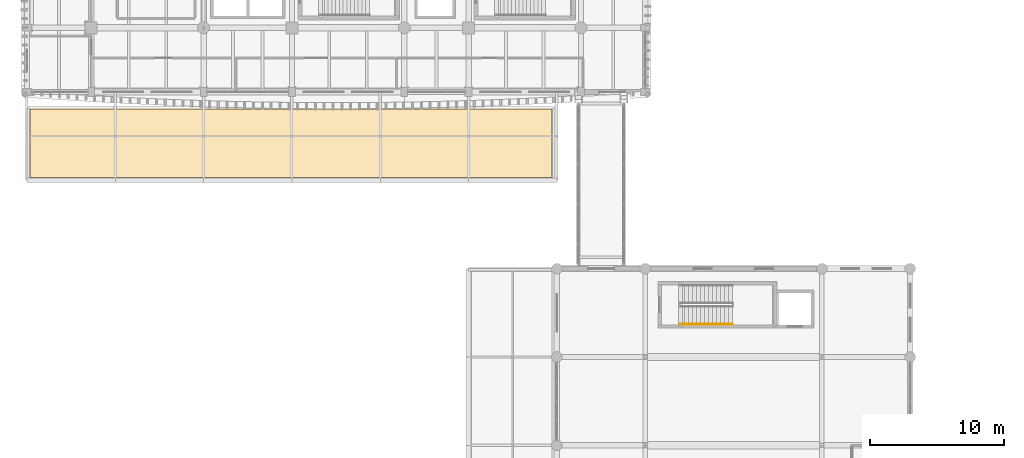
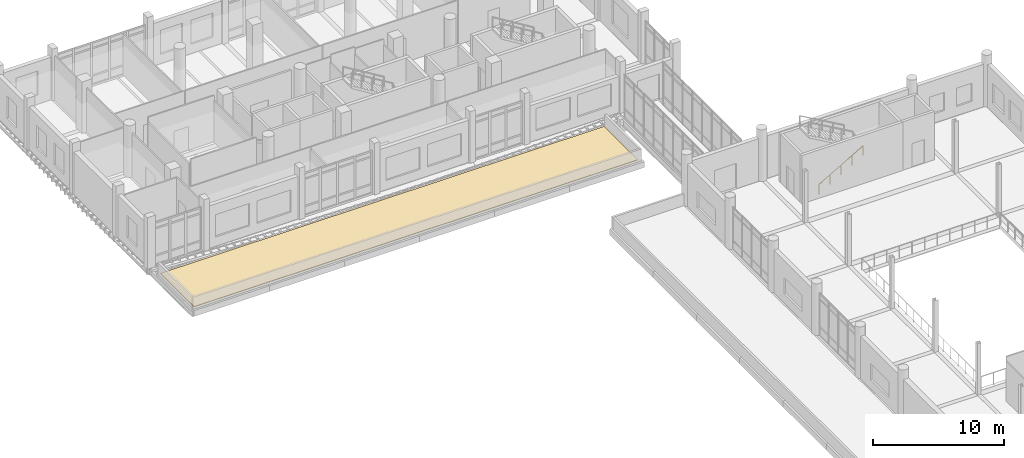
# One storey, part 107 of 125: 1 covering, 1 railing.
"""IFC4 building model written with IfcOpenShell, lengths in metres."""

import ifcopenshell
import ifcopenshell.guid

model = None  # the IFC model being written
_history = None  # IfcOwnerHistory: only IFC2X3 demands one
_inside = {}  # id of a spatial element -> (the spatial element, [elements in it])
_under = {}  # id of a project, library or spatial element -> (it, [spatial elements below it])
_declared = {}  # id of a project -> (the project, [libraries it declares])
_typed = {}  # id of a type object -> (the type object, [elements of that type])
_made_of = {}  # id of a material, layer set ... -> (it, [elements and type objects made of it])


def new_model(schema):
    """Start an empty IFC model of exactly this schema.

    Asked for "IFC4X3", IfcOpenShell would pick the latest addendum, in which some entities
    have other attributes; the version numbers below select the first issue.
    IFC2X3 requires an IfcOwnerHistory on every rooted entity: one is made here for all.
    """
    global model, _history
    if schema == "IFC4X3":
        model = ifcopenshell.file(schema_version=(4, 3, 0, 0))
    else:
        model = ifcopenshell.file(schema=schema)
    _inside.clear()
    _under.clear()
    _declared.clear()
    _typed.clear()
    _made_of.clear()
    _history = None
    if model.schema == "IFC2X3":
        org = make("IfcOrganization", Name="unknown")
        user = make(
            "IfcPersonAndOrganization",
            ThePerson=make("IfcPerson", FamilyName="unknown"),
            TheOrganization=org,
        )
        app = make(
            "IfcApplication",
            ApplicationDeveloper=org,
            Version="unknown",
            ApplicationFullName="unknown",
            ApplicationIdentifier="unknown",
        )
        _history = make(
            "IfcOwnerHistory",
            OwningUser=user,
            OwningApplication=app,
            ChangeAction="ADDED",
            CreationDate=0,
        )
    return model


def make(cls, **values):
    """One entity of the class cls with the attributes given. An attribute that is None is left unset."""
    return model.create_entity(
        cls, **{name: value for name, value in values.items() if value is not None}
    )


def rooted(cls, **values):
    """An entity with a GlobalId (a new one), such as an element, a storey or a relation."""
    return make(cls, GlobalId=ifcopenshell.guid.new(), OwnerHistory=_history, **values)


def si_unit(unit_type, name, prefix=None):
    """IfcSIUnit, for example si_unit("LENGTHUNIT", "METRE", prefix="MILLI")."""
    return make("IfcSIUnit", UnitType=unit_type, Prefix=prefix, Name=name)


def assignment(units):
    """IfcUnitAssignment: the units of a project."""
    return None if units is None else make("IfcUnitAssignment", Units=units)


def point(xyz):
    """IfcCartesianPoint."""
    return None if xyz is None else make("IfcCartesianPoint", Coordinates=xyz)


def direction(xyz):
    """IfcDirection."""
    return None if xyz is None else make("IfcDirection", DirectionRatios=xyz)


def frame(location, z_axis=None, x_axis=None):
    """IfcAxis2Placement3D, a coordinate frame: its origin and axes. An axis left out is left unset."""
    return make(
        "IfcAxis2Placement3D",
        Location=point(location),
        Axis=direction(z_axis),
        RefDirection=direction(x_axis),
    )


def frame_2d(location, x_axis=None):
    """IfcAxis2Placement2D, a coordinate frame in the plane: its origin and x axis."""
    return make(
        "IfcAxis2Placement2D", Location=point(location), RefDirection=direction(x_axis)
    )


def origin():
    """The frame at (0, 0, 0) with its axes left unset."""
    return frame((0.0, 0.0, 0.0))


def origin_2d():
    """The frame at (0, 0) in the plane with its x axis left unset."""
    return frame_2d((0.0, 0.0))


def place(relative_to, where):
    """IfcLocalPlacement: puts the frame where relative to a parent placement (None: the world)."""
    return make(
        "IfcLocalPlacement", PlacementRelTo=relative_to, RelativePlacement=where
    )


def context(
    kind, dimensions, precision=None, world=None, true_north=None, identifier=None
):
    """IfcGeometricRepresentationContext, for example the 3D "Model" context."""
    return make(
        "IfcGeometricRepresentationContext",
        ContextIdentifier=identifier,
        ContextType=kind,
        CoordinateSpaceDimension=dimensions,
        Precision=precision,
        WorldCoordinateSystem=world,
        TrueNorth=true_north,
    )


def subcontext(parent, identifier, kind, view, scale=None):
    """IfcGeometricRepresentationSubContext, for example "Body" below "Model"."""
    return make(
        "IfcGeometricRepresentationSubContext",
        ContextIdentifier=identifier,
        ContextType=kind,
        ParentContext=parent,
        TargetScale=scale,
        TargetView=view,
    )


def project(units=None, contexts=None):
    """IfcProject with its units and contexts."""
    return rooted(
        "IfcProject",
        Name="project",
        RepresentationContexts=contexts,
        UnitsInContext=assignment(units),
    )


def spatial(cls, under=None, at=None, **own):
    """A site, building, storey or space (cls), placed at a placement, below another one or the project."""
    s = rooted(cls, ObjectPlacement=at, **own)
    if under is not None:
        _under.setdefault(under.id(), (under, []))[1].append(s)
    return s


def polyline(points):
    """IfcPolyline through the points."""
    return make("IfcPolyline", Points=[point(p) for p in points])


def profile(cls, at=None, kind="AREA", **sizes):
    """A parametric profile (cls). Its sizes go by their IFC names, for example OverallWidth=200.0."""
    return make(cls, ProfileType=kind, Position=at, **sizes)


def circle(**sizes):
    """IfcCircleProfileDef."""
    return profile("IfcCircleProfileDef", **sizes)


def outline(outer, holes=None, kind="AREA"):
    """IfcArbitraryClosedProfileDef: a profile drawn as a closed curve; with holes, ...WithVoids."""
    if holes is None:
        return make("IfcArbitraryClosedProfileDef", ProfileType=kind, OuterCurve=outer)
    return make(
        "IfcArbitraryProfileDefWithVoids",
        ProfileType=kind,
        OuterCurve=outer,
        InnerCurves=holes,
    )


def extrude(swept, where, along, depth):
    """IfcExtrudedAreaSolid: the profile swept, set in the frame where, extruded along a direction by depth."""
    return make(
        "IfcExtrudedAreaSolid",
        SweptArea=swept,
        Position=where,
        ExtrudedDirection=direction(along),
        Depth=depth,
    )


def shape(context_of_items, identifier, shape_type, items):
    """IfcShapeRepresentation: the items that make up one representation, for example the "Body"."""
    return make(
        "IfcShapeRepresentation",
        ContextOfItems=context_of_items,
        RepresentationIdentifier=identifier,
        RepresentationType=shape_type,
        Items=items,
    )


def material(Name=None, Category=None):
    """IfcMaterial."""
    return make("IfcMaterial", Name=Name, Category=Category)


def layer(
    of_material, thickness, ventilated=None, Name=None, Category=None, Priority=None
):
    """IfcMaterialLayer: one layer of a wall or slab, of a material (None: an air gap)."""
    return make(
        "IfcMaterialLayer",
        Material=of_material,
        LayerThickness=thickness,
        IsVentilated=ventilated,
        Name=Name,
        Category=Category,
        Priority=Priority,
    )


def layer_set(layers, Name=None):
    """IfcMaterialLayerSet."""
    return make("IfcMaterialLayerSet", MaterialLayers=layers, LayerSetName=Name)


def made_of(thing, what):
    """Note that an element or type object is made of a material, layer set ...; save() writes the relation."""
    if what is not None:
        _made_of.setdefault(what.id(), (what, []))[1].append(thing)
    return thing


def type_object(cls, material=None, **own):
    """A type object (cls), such as IfcWallType, which elements share."""
    return made_of(rooted(cls, **own), material)


def element(
    cls,
    number,
    at=None,
    inside=None,
    cuts=None,
    type_object=None,
    material=None,
    context=None,
    identifier="Body",
    shape_type=None,
    held_by="IfcProductDefinitionShape",
    body=None,
    shapes=None,
    **own,
):
    """One element of the class cls, such as IfcWall. Its Tag is "e" and its number.

    at: its placement. inside: the storey or other place that contains it. cuts: it is an
    opening in that element (IfcRelVoidsElement). A single representation is given by context,
    identifier, shape_type and body (its items); several are given by shapes. held_by: the class
    of the entity that holds the representations. save() writes the other relations.
    """
    e = rooted(cls, Tag="e%d" % number, ObjectPlacement=at, **own)
    if body is not None:
        shapes = [shape(context, identifier, shape_type, body)]
    if shapes is not None:
        e.Representation = make(held_by, Representations=shapes)
    if inside is not None:
        _inside.setdefault(inside.id(), (inside, []))[1].append(e)
    if cuts is not None:
        rooted(
            "IfcRelVoidsElement", RelatingBuildingElement=cuts, RelatedOpeningElement=e
        )
    if type_object is not None:
        _typed.setdefault(type_object.id(), (type_object, []))[1].append(e)
    return made_of(e, material)


def aggregate(whole, parts):
    """IfcRelAggregates: a whole, such as a stair, and the parts it consists of."""
    return rooted("IfcRelAggregates", RelatingObject=whole, RelatedObjects=parts)


def save(model, path):
    """Write the relations noted so far, then the file.

    IfcRelAggregates (storeys below a building ...), IfcRelContainedInSpatialStructure (elements
    in a storey), IfcRelDefinesByType, IfcRelAssociatesMaterial and IfcRelDeclares: one each for
    every whole, place, type object, material and project.
    """
    for whole, parts in _under.values():
        aggregate(whole, parts)
    for where, things in _inside.values():
        rooted(
            "IfcRelContainedInSpatialStructure",
            RelatedElements=things,
            RelatingStructure=where,
        )
    for kind, things in _typed.values():
        rooted("IfcRelDefinesByType", RelatedObjects=things, RelatingType=kind)
    for what, things in _made_of.values():
        rooted("IfcRelAssociatesMaterial", RelatedObjects=things, RelatingMaterial=what)
    for by, libraries in _declared.values():
        rooted("IfcRelDeclares", RelatingContext=by, RelatedDefinitions=libraries)
    model.write(path)


model = new_model("IFC4")

# Units and contexts
model_context = context("Model", 3, precision=1e-05, world=origin(), true_north=direction((0.0, 1.0)))
body_context = subcontext(model_context, "Body", "Model", "MODEL_VIEW")
ifc_project = project(units=[si_unit("LENGTHUNIT", "METRE"), si_unit("AREAUNIT", "SQUARE_METRE"), si_unit("VOLUMEUNIT", "CUBIC_METRE"), si_unit("PLANEANGLEUNIT", "RADIAN"), si_unit("MASSUNIT", "GRAM", prefix="KILO")], contexts=[model_context])

# Site, building, storey
site_placement = place(None, origin())
site = spatial("IfcSite", under=ifc_project, at=site_placement, CompositionType="ELEMENT")
building_placement = place(site_placement, origin())
building = spatial("IfcBuilding", under=site, at=building_placement, Name="Dornvale Research Institute", CompositionType="ELEMENT")
storey_placement = place(building_placement, frame((0.0, 0.0, 5.39990234375)))
storey = spatial("IfcBuildingStorey", under=building, at=storey_placement, Name="L01", CompositionType="ELEMENT", Elevation=5.39990234375)

# Covering
ifc_material_1 = material(Name="TPO High-Reflectance Cool Roof Membrane and Rigid Insulation")
ifc_layer_1 = layer(ifc_material_1, 0.06005859375)
ifc_layer_set_1 = layer_set([ifc_layer_1], Name="TPO High-Reflectance Cool Roof Membrane and Rigid Insulation")
covering_type = type_object("IfcCoveringType", Name="Covering_CoolRoof_Membrane", PredefinedType="ROOFING", material=ifc_layer_set_1)
covering_placement = place(storey_placement, origin())
element("IfcCovering", 1, at=covering_placement, inside=storey, type_object=covering_type, Name="L01 colonnade canopy membrane N", PredefinedType="ROOFING", context=body_context, shape_type="SweptSolid", body=[
    extrude(outline(polyline([(0.219970703125, 92.6201171875), (39.22998046875, 92.6201171875), (39.22998046875, 97.72998046875), (0.219970703125, 97.72998046875), (0.219970703125, 92.6201171875)])), origin(), (0.0, 0.0, 1.0), 0.06005859375),
])

# Railing
ifc_material_2 = material(Name="Galvanized Painted Tubular Steel Stair Rail", Category="steel")
ifc_layer_2 = layer(ifc_material_2, 0.044921875)
ifc_layer_set_2 = layer_set([ifc_layer_2], Name="Galvanized Painted Tubular Steel Stair Rail")
railing_type = type_object("IfcRailingType", Name="Railing_Stair_Handrail_900", PredefinedType="HANDRAIL", material=ifc_layer_set_2)
railing_placement = place(storey_placement, frame((48.820068359375, 81.64990234375, 0.171630859375)))
element("IfcRailing", 2, at=railing_placement, inside=storey, type_object=railing_type, Name="L01 ST-8 stair handrail 1", PredefinedType="HANDRAIL", context=body_context, shape_type="SweptSolid", body=[
    extrude(circle(Radius=0.02392578125, at=origin_2d()), frame((0.0, 0.0, 0.8759765625), z_axis=(0.868243142124, 0.0, 0.496138938357), x_axis=(0.0, 1.0, 0.0)), (0.0, 0.0, 1.0), 4.49169921875),
    extrude(circle(Radius=0.02099609375, at=origin_2d()), origin(), (0.0, 0.0, 1.0), 0.851806640625),
    extrude(circle(Radius=0.02099609375, at=origin_2d()), frame((0.97509765625, 0.0, 0.55712890625)), (0.0, 0.0, 1.0), 0.851806640625),
    extrude(circle(Radius=0.02099609375, at=origin_2d()), frame((1.949951171875, 0.0, 1.1142578125)), (0.0, 0.0, 1.0), 0.851806640625),
    extrude(circle(Radius=0.02099609375, at=origin_2d()), frame((2.9248046875, 0.0, 1.67138671875)), (0.0, 0.0, 1.0), 0.851806640625),
    extrude(circle(Radius=0.02099609375, at=origin_2d()), frame((3.89990234375, 0.0, 2.228515625)), (0.0, 0.0, 1.0), 0.851806640625),
])

save(model, "model.ifc")
